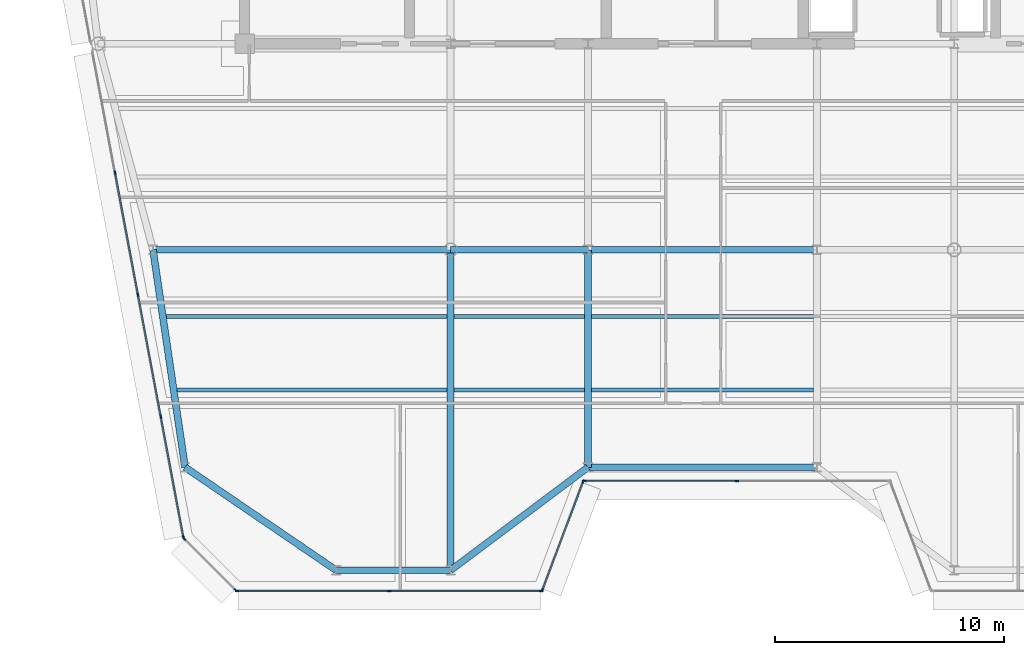
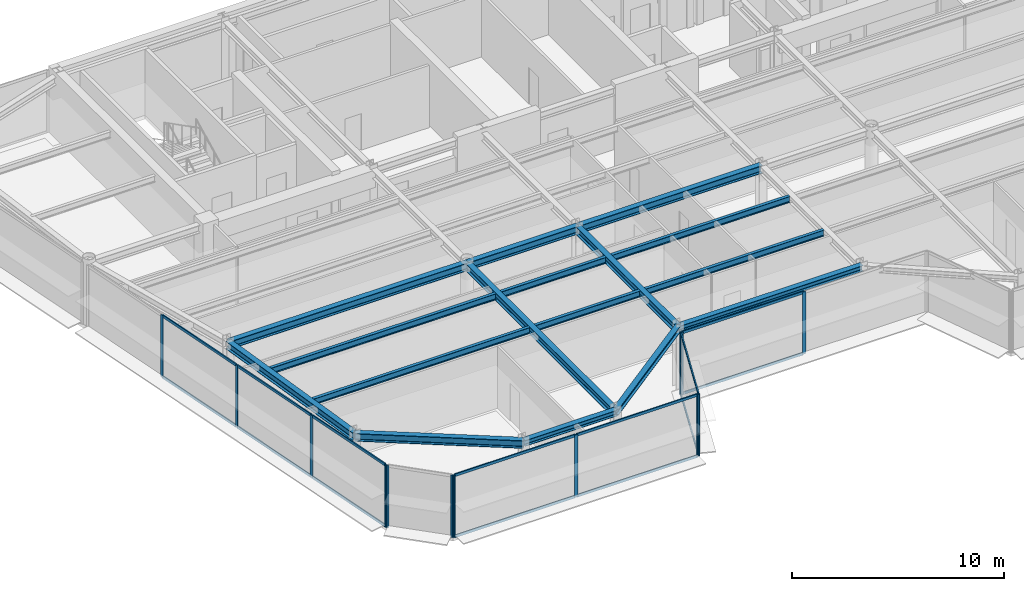
# One storey, part 3 of 20: 27 members, 16 beams, 5 elements without a shape of their own.
"""IFC4 building model written with IfcOpenShell, lengths in metres."""

import ifcopenshell
import ifcopenshell.guid

model = None  # the IFC model being written
_history = None  # IfcOwnerHistory: only IFC2X3 demands one
_inside = {}  # id of a spatial element -> (the spatial element, [elements in it])
_under = {}  # id of a project, library or spatial element -> (it, [spatial elements below it])
_declared = {}  # id of a project -> (the project, [libraries it declares])
_typed = {}  # id of a type object -> (the type object, [elements of that type])
_made_of = {}  # id of a material, layer set ... -> (it, [elements and type objects made of it])


def new_model(schema):
    """Start an empty IFC model of exactly this schema.

    Asked for "IFC4X3", IfcOpenShell would pick the latest addendum, in which some entities
    have other attributes; the version numbers below select the first issue.
    IFC2X3 requires an IfcOwnerHistory on every rooted entity: one is made here for all.
    """
    global model, _history
    if schema == "IFC4X3":
        model = ifcopenshell.file(schema_version=(4, 3, 0, 0))
    else:
        model = ifcopenshell.file(schema=schema)
    _inside.clear()
    _under.clear()
    _declared.clear()
    _typed.clear()
    _made_of.clear()
    _history = None
    if model.schema == "IFC2X3":
        org = make("IfcOrganization", Name="unknown")
        user = make(
            "IfcPersonAndOrganization",
            ThePerson=make("IfcPerson", FamilyName="unknown"),
            TheOrganization=org,
        )
        app = make(
            "IfcApplication",
            ApplicationDeveloper=org,
            Version="unknown",
            ApplicationFullName="unknown",
            ApplicationIdentifier="unknown",
        )
        _history = make(
            "IfcOwnerHistory",
            OwningUser=user,
            OwningApplication=app,
            ChangeAction="ADDED",
            CreationDate=0,
        )
    return model


def make(cls, **values):
    """One entity of the class cls with the attributes given. An attribute that is None is left unset."""
    return model.create_entity(
        cls, **{name: value for name, value in values.items() if value is not None}
    )


def rooted(cls, **values):
    """An entity with a GlobalId (a new one), such as an element, a storey or a relation."""
    return make(cls, GlobalId=ifcopenshell.guid.new(), OwnerHistory=_history, **values)


def si_unit(unit_type, name, prefix=None):
    """IfcSIUnit, for example si_unit("LENGTHUNIT", "METRE", prefix="MILLI")."""
    return make("IfcSIUnit", UnitType=unit_type, Prefix=prefix, Name=name)


def assignment(units):
    """IfcUnitAssignment: the units of a project."""
    return None if units is None else make("IfcUnitAssignment", Units=units)


def point(xyz):
    """IfcCartesianPoint."""
    return None if xyz is None else make("IfcCartesianPoint", Coordinates=xyz)


def direction(xyz):
    """IfcDirection."""
    return None if xyz is None else make("IfcDirection", DirectionRatios=xyz)


def frame(location, z_axis=None, x_axis=None):
    """IfcAxis2Placement3D, a coordinate frame: its origin and axes. An axis left out is left unset."""
    return make(
        "IfcAxis2Placement3D",
        Location=point(location),
        Axis=direction(z_axis),
        RefDirection=direction(x_axis),
    )


def frame_2d(location, x_axis=None):
    """IfcAxis2Placement2D, a coordinate frame in the plane: its origin and x axis."""
    return make(
        "IfcAxis2Placement2D", Location=point(location), RefDirection=direction(x_axis)
    )


def origin():
    """The frame at (0, 0, 0) with its axes left unset."""
    return frame((0.0, 0.0, 0.0))


def origin_2d():
    """The frame at (0, 0) in the plane with its x axis left unset."""
    return frame_2d((0.0, 0.0))


def place(relative_to, where):
    """IfcLocalPlacement: puts the frame where relative to a parent placement (None: the world)."""
    return make(
        "IfcLocalPlacement", PlacementRelTo=relative_to, RelativePlacement=where
    )


def context(
    kind, dimensions, precision=None, world=None, true_north=None, identifier=None
):
    """IfcGeometricRepresentationContext, for example the 3D "Model" context."""
    return make(
        "IfcGeometricRepresentationContext",
        ContextIdentifier=identifier,
        ContextType=kind,
        CoordinateSpaceDimension=dimensions,
        Precision=precision,
        WorldCoordinateSystem=world,
        TrueNorth=true_north,
    )


def subcontext(parent, identifier, kind, view, scale=None):
    """IfcGeometricRepresentationSubContext, for example "Body" below "Model"."""
    return make(
        "IfcGeometricRepresentationSubContext",
        ContextIdentifier=identifier,
        ContextType=kind,
        ParentContext=parent,
        TargetScale=scale,
        TargetView=view,
    )


def project(units=None, contexts=None):
    """IfcProject with its units and contexts."""
    return rooted(
        "IfcProject",
        Name="project",
        RepresentationContexts=contexts,
        UnitsInContext=assignment(units),
    )


def spatial(cls, under=None, at=None, **own):
    """A site, building, storey or space (cls), placed at a placement, below another one or the project."""
    s = rooted(cls, ObjectPlacement=at, **own)
    if under is not None:
        _under.setdefault(under.id(), (under, []))[1].append(s)
    return s


def profile(cls, at=None, kind="AREA", **sizes):
    """A parametric profile (cls). Its sizes go by their IFC names, for example OverallWidth=200.0."""
    return make(cls, ProfileType=kind, Position=at, **sizes)


def rectangle(**sizes):
    """IfcRectangleProfileDef."""
    return profile("IfcRectangleProfileDef", **sizes)


def i_section(**sizes):
    """IfcIShapeProfileDef."""
    return profile("IfcIShapeProfileDef", **sizes)


def extrude(swept, where, along, depth):
    """IfcExtrudedAreaSolid: the profile swept, set in the frame where, extruded along a direction by depth."""
    return make(
        "IfcExtrudedAreaSolid",
        SweptArea=swept,
        Position=where,
        ExtrudedDirection=direction(along),
        Depth=depth,
    )


def shape(context_of_items, identifier, shape_type, items):
    """IfcShapeRepresentation: the items that make up one representation, for example the "Body"."""
    return make(
        "IfcShapeRepresentation",
        ContextOfItems=context_of_items,
        RepresentationIdentifier=identifier,
        RepresentationType=shape_type,
        Items=items,
    )


def source(mapping_origin, context_of_items, identifier, shape_type, items):
    """IfcRepresentationMap: a shape defined once, which mapped items show again and again."""
    return make(
        "IfcRepresentationMap",
        MappingOrigin=mapping_origin,
        MappedRepresentation=shape(context_of_items, identifier, shape_type, items),
    )


def transform(
    local_origin,
    x_axis=None,
    y_axis=None,
    z_axis=None,
    scale=None,
    scale2=None,
    scale3=None,
    uniform=True,
):
    """IfcCartesianTransformationOperator3D, or its non-uniform kind. x_axis, y_axis, z_axis: its Axis1, 2, 3."""
    if uniform:
        return make(
            "IfcCartesianTransformationOperator3D",
            Axis1=direction(x_axis),
            Axis2=direction(y_axis),
            LocalOrigin=point(local_origin),
            Scale=scale,
            Axis3=direction(z_axis),
        )
    return make(
        "IfcCartesianTransformationOperator3DnonUniform",
        Axis1=direction(x_axis),
        Axis2=direction(y_axis),
        LocalOrigin=point(local_origin),
        Scale=scale,
        Axis3=direction(z_axis),
        Scale2=scale2,
        Scale3=scale3,
    )


def mapped(mapping_source, mapping_target):
    """IfcMappedItem: shows the shape of a source again, moved by a transform."""
    return make(
        "IfcMappedItem", MappingSource=mapping_source, MappingTarget=mapping_target
    )


def material(Name=None, Category=None):
    """IfcMaterial."""
    return make("IfcMaterial", Name=Name, Category=Category)


def layer(
    of_material, thickness, ventilated=None, Name=None, Category=None, Priority=None
):
    """IfcMaterialLayer: one layer of a wall or slab, of a material (None: an air gap)."""
    return make(
        "IfcMaterialLayer",
        Material=of_material,
        LayerThickness=thickness,
        IsVentilated=ventilated,
        Name=Name,
        Category=Category,
        Priority=Priority,
    )


def layer_set(layers, Name=None):
    """IfcMaterialLayerSet."""
    return make("IfcMaterialLayerSet", MaterialLayers=layers, LayerSetName=Name)


def material_profile(
    of_material, cross_section, Name=None, Category=None, Priority=None
):
    """IfcMaterialProfile: a cross section and its material."""
    return make(
        "IfcMaterialProfile",
        Name=Name,
        Material=of_material,
        Profile=cross_section,
        Priority=Priority,
        Category=Category,
    )


def profile_set(profiles, Name=None, composite=None):
    """IfcMaterialProfileSet."""
    return make(
        "IfcMaterialProfileSet",
        Name=Name,
        MaterialProfiles=profiles,
        CompositeProfile=composite,
    )


def made_of(thing, what):
    """Note that an element or type object is made of a material, layer set ...; save() writes the relation."""
    if what is not None:
        _made_of.setdefault(what.id(), (what, []))[1].append(thing)
    return thing


def type_object(cls, material=None, **own):
    """A type object (cls), such as IfcWallType, which elements share."""
    return made_of(rooted(cls, **own), material)


def element(
    cls,
    number,
    at=None,
    inside=None,
    cuts=None,
    type_object=None,
    material=None,
    context=None,
    identifier="Body",
    shape_type=None,
    held_by="IfcProductDefinitionShape",
    body=None,
    shapes=None,
    **own,
):
    """One element of the class cls, such as IfcWall. Its Tag is "e" and its number.

    at: its placement. inside: the storey or other place that contains it. cuts: it is an
    opening in that element (IfcRelVoidsElement). A single representation is given by context,
    identifier, shape_type and body (its items); several are given by shapes. held_by: the class
    of the entity that holds the representations. save() writes the other relations.
    """
    e = rooted(cls, Tag="e%d" % number, ObjectPlacement=at, **own)
    if body is not None:
        shapes = [shape(context, identifier, shape_type, body)]
    if shapes is not None:
        e.Representation = make(held_by, Representations=shapes)
    if inside is not None:
        _inside.setdefault(inside.id(), (inside, []))[1].append(e)
    if cuts is not None:
        rooted(
            "IfcRelVoidsElement", RelatingBuildingElement=cuts, RelatedOpeningElement=e
        )
    if type_object is not None:
        _typed.setdefault(type_object.id(), (type_object, []))[1].append(e)
    return made_of(e, material)


def aggregate(whole, parts):
    """IfcRelAggregates: a whole, such as a stair, and the parts it consists of."""
    return rooted("IfcRelAggregates", RelatingObject=whole, RelatedObjects=parts)


def save(model, path):
    """Write the relations noted so far, then the file.

    IfcRelAggregates (storeys below a building ...), IfcRelContainedInSpatialStructure (elements
    in a storey), IfcRelDefinesByType, IfcRelAssociatesMaterial and IfcRelDeclares: one each for
    every whole, place, type object, material and project.
    """
    for whole, parts in _under.values():
        aggregate(whole, parts)
    for where, things in _inside.values():
        rooted(
            "IfcRelContainedInSpatialStructure",
            RelatedElements=things,
            RelatingStructure=where,
        )
    for kind, things in _typed.values():
        rooted("IfcRelDefinesByType", RelatedObjects=things, RelatingType=kind)
    for what, things in _made_of.values():
        rooted("IfcRelAssociatesMaterial", RelatedObjects=things, RelatingMaterial=what)
    for by, libraries in _declared.values():
        rooted("IfcRelDeclares", RelatingContext=by, RelatedDefinitions=libraries)
    model.write(path)


model = new_model("IFC4")

# Units and contexts
model_context = context("Model", 3, precision=1e-05, world=origin(), true_north=direction((0.0, 1.0)))
body_context = subcontext(model_context, "Body", "Model", "MODEL_VIEW")
ifc_project = project(units=[si_unit("LENGTHUNIT", "METRE"), si_unit("AREAUNIT", "SQUARE_METRE"), si_unit("VOLUMEUNIT", "CUBIC_METRE"), si_unit("PLANEANGLEUNIT", "RADIAN"), si_unit("MASSUNIT", "GRAM", prefix="KILO")], contexts=[model_context])

# Site, building, storey
site_placement = place(None, origin())
site = spatial("IfcSite", under=ifc_project, at=site_placement, CompositionType="ELEMENT")
building_placement = place(site_placement, origin())
building = spatial("IfcBuilding", under=site, at=building_placement, Name="Vaeldorn Concourse Tower", CompositionType="ELEMENT")
storey_placement = place(building_placement, frame((0.0, 0.0, 291.60009765625)))
storey = spatial("IfcBuildingStorey", under=building, at=storey_placement, Name="L75", CompositionType="ELEMENT", Elevation=291.60009765625)

# Beams
ifc_material_1 = material(Name="Steel S355", Category="steel")
ifc_material_profile_1 = material_profile(ifc_material_1, i_section(OverallWidth=0.300048828125, OverallDepth=0.449951171875, WebThickness=0.013916015625, FlangeThickness=0.02587890625, FilletRadius=0.027099609375, at=origin_2d()), Name="HEB 450")
ifc_profile_set_1 = profile_set([ifc_material_profile_1], Name="Steel S355")
beam_type_1 = type_object("IfcBeamType", Name="BM-PG-HEB450", PredefinedType="BEAM", material=ifc_profile_set_1)
shared_shape_1 = source(origin(), body_context, "Body", "SweptSolid", [
    extrude(i_section(OverallWidth=0.300048828125, OverallDepth=0.449951171875, WebThickness=0.013916015625, FlangeThickness=0.02587890625, FilletRadius=0.027099609375, at=origin_2d()), origin(), (0.0, 0.0, 1.0), 6.0),
])
beam_1_placement = place(storey_placement, frame((23.0, 27.5, 3.35498046875), z_axis=(1.0, 0.0, 0.0), x_axis=(0.0, 1.0, 0.0)))
element("IfcBeam", 1, at=beam_1_placement, inside=storey, type_object=beam_type_1, Name="Beam BM-L75-C-TW1-C-TW2", PredefinedType="BEAM", context=body_context, shape_type="MappedRepresentation", body=[
    mapped(shared_shape_1, transform((0.0, 0.0, 0.0), scale=1.0)),
])
shared_shape_2 = source(origin(), body_context, "Body", "SweptSolid", [
    extrude(i_section(OverallWidth=0.300048828125, OverallDepth=0.449951171875, WebThickness=0.013916015625, FlangeThickness=0.02587890625, FilletRadius=0.027099609375, at=origin_2d()), origin(), (0.0, 0.0, 1.0), 10.0),
])
beam_2_placement = place(storey_placement, frame((29.0, 27.5, 3.35498046875), z_axis=(1.0, 0.0, 0.0), x_axis=(0.0, 1.0, 0.0)))
element("IfcBeam", 2, at=beam_2_placement, inside=storey, type_object=beam_type_1, Name="Beam BM-L75-C-TW2-C-TW3", PredefinedType="BEAM", context=body_context, shape_type="MappedRepresentation", body=[
    mapped(shared_shape_2, transform((0.0, 0.0, 0.0), scale=1.0)),
])
ifc_material_profile_2 = material_profile(ifc_material_1, i_section(OverallWidth=0.169921875, OverallDepth=0.360107421875, WebThickness=0.008056640625, FlangeThickness=0.0126953125, FilletRadius=0.01806640625, at=origin_2d()), Name="IPE 360")
ifc_profile_set_2 = profile_set([ifc_material_profile_2], Name="Steel S355")
beam_type_2 = type_object("IfcBeamType", Name="BM-JS-IPE360", PredefinedType="JOIST", material=ifc_profile_set_2)
shared_shape_3 = source(origin(), body_context, "Body", "SweptSolid", [
    extrude(i_section(OverallWidth=0.169921875, OverallDepth=0.360107421875, WebThickness=0.008056640625, FlangeThickness=0.0126953125, FilletRadius=0.01806640625, at=origin_2d()), origin(), (0.0, 0.0, 1.0), 5.7001953125),
])
for number, where, z_axis, x_axis, name in (
    (3, (23.14990234375, 21.3798828125, 3.39990234375), (1.0, 0.0, 0.0), (0.0, 1.0, 0.0), "Beam JS-L75-W2-213"),
    (4, (23.14990234375, 24.580078125, 3.39990234375), (1.0, 0.0, 0.0), (0.0, 1.0, 0.0), "Beam JS-L75-W2-245"),
):
    element("IfcBeam", number, at=place(storey_placement, frame(where, z_axis=z_axis, x_axis=x_axis)), inside=storey, type_object=beam_type_2, Name=name, PredefinedType="JOIST", context=body_context, shape_type="MappedRepresentation", body=[
        mapped(shared_shape_3, transform((0.0, 0.0, 0.0), scale=1.0)),
    ])
shared_shape_4 = source(origin(), body_context, "Body", "SweptSolid", [
    extrude(i_section(OverallWidth=0.169921875, OverallDepth=0.360107421875, WebThickness=0.008056640625, FlangeThickness=0.0126953125, FilletRadius=0.01806640625, at=origin_2d()), origin(), (0.0, 0.0, 1.0), 9.7001953125),
])
for number, where, z_axis, x_axis, name in (
    (5, (29.14990234375, 21.3798828125, 3.39990234375), (1.0, 0.0, 0.0), (0.0, 1.0, 0.0), "Beam JS-L75-C-213"),
    (6, (29.14990234375, 24.580078125, 3.39990234375), (1.0, 0.0, 0.0), (0.0, 1.0, 0.0), "Beam JS-L75-C-245"),
):
    element("IfcBeam", number, at=place(storey_placement, frame(where, z_axis=z_axis, x_axis=x_axis)), inside=storey, type_object=beam_type_2, Name=name, PredefinedType="JOIST", context=body_context, shape_type="MappedRepresentation", body=[
        mapped(shared_shape_4, transform((0.0, 0.0, 0.0), scale=1.0)),
    ])
ifc_material_profile_3 = material_profile(ifc_material_1, i_section(OverallWidth=0.300048828125, OverallDepth=0.340087890625, WebThickness=0.011962890625, FlangeThickness=0.021484375, FilletRadius=0.027099609375, at=origin_2d()), Name="HEB 340")
ifc_profile_set_3 = profile_set([ifc_material_profile_3], Name="Steel S355")
beam_type_3 = type_object("IfcBeamType", Name="BM-SP-HEB340", PredefinedType="SPANDREL", material=ifc_profile_set_3)
shared_shape_5 = source(origin(), body_context, "Body", "SweptSolid", [
    extrude(i_section(OverallWidth=0.300048828125, OverallDepth=0.340087890625, WebThickness=0.011962890625, FlangeThickness=0.021484375, FilletRadius=0.027099609375, at=origin_2d()), origin(), (0.0, 0.0, 1.0), 5.0),
])
beam_3_placement = place(storey_placement, frame((18.0, 13.5, 3.409912109375), z_axis=(1.0, 0.0, 0.0), x_axis=(0.0, 1.0, 0.0)))
element("IfcBeam", 7, at=beam_3_placement, inside=storey, type_object=beam_type_3, Name="Beam BM-L75-C-SF1-C-SF2", PredefinedType="SPANDREL", context=body_context, shape_type="MappedRepresentation", body=[
    mapped(shared_shape_5, transform((0.0, 0.0, 0.0), scale=1.0)),
])
shared_shape_6 = source(origin(), body_context, "Body", "SweptSolid", [
    extrude(i_section(OverallWidth=0.300048828125, OverallDepth=0.340087890625, WebThickness=0.011962890625, FlangeThickness=0.021484375, FilletRadius=0.027099609375, at=origin_2d()), origin(), (0.0, 0.0, 1.0), 7.5),
])
beam_4_placement = place(storey_placement, frame((23.0, 13.5, 3.409912109375), z_axis=(0.8, 0.6, 0.0), x_axis=(-0.6, 0.8, 0.0)))
element("IfcBeam", 8, at=beam_4_placement, inside=storey, type_object=beam_type_3, Name="Beam BM-L75-C-SF2-C-SF3", PredefinedType="SPANDREL", context=body_context, shape_type="MappedRepresentation", body=[
    mapped(shared_shape_6, transform((0.0, 0.0, 0.0), scale=1.0)),
])
shared_shape_7 = source(origin(), body_context, "Body", "SweptSolid", [
    extrude(i_section(OverallWidth=0.300048828125, OverallDepth=0.340087890625, WebThickness=0.011962890625, FlangeThickness=0.021484375, FilletRadius=0.027099609375, at=origin_2d()), origin(), (0.0, 0.0, 1.0), 10.0),
])
beam_5_placement = place(storey_placement, frame((29.0, 18.0, 3.409912109375), z_axis=(1.0, 0.0, 0.0), x_axis=(0.0, 1.0, 0.0)))
element("IfcBeam", 9, at=beam_5_placement, inside=storey, type_object=beam_type_3, Name="Beam BM-L75-C-SF3-C-SF4", PredefinedType="SPANDREL", context=body_context, shape_type="MappedRepresentation", body=[
    mapped(shared_shape_7, transform((0.0, 0.0, 0.0), scale=1.0)),
])
shared_shape_8 = source(origin(), body_context, "Body", "SweptSolid", [
    extrude(i_section(OverallWidth=0.169921875, OverallDepth=0.360107421875, WebThickness=0.008056640625, FlangeThickness=0.0126953125, FilletRadius=0.01806640625, at=origin_2d()), origin(), (0.0, 0.0, 1.0), 11.798095703125),
])
beam_6_placement = place(storey_placement, frame((11.052001953125, 21.3798828125, 3.39990234375), z_axis=(1.0, 0.0, 0.0), x_axis=(0.0, 1.0, 0.0)))
element("IfcBeam", 10, at=beam_6_placement, inside=storey, type_object=beam_type_2, Name="Beam JS-L75-W1-213", PredefinedType="JOIST", context=body_context, shape_type="MappedRepresentation", body=[
    mapped(shared_shape_8, transform((0.0, 0.0, 0.0), scale=1.0)),
])
shared_shape_9 = source(origin(), body_context, "Body", "SweptSolid", [
    extrude(i_section(OverallWidth=0.169921875, OverallDepth=0.360107421875, WebThickness=0.008056640625, FlangeThickness=0.0126953125, FilletRadius=0.01806640625, at=origin_2d()), origin(), (0.0, 0.0, 1.0), 12.269775390625),
])
beam_7_placement = place(storey_placement, frame((10.580322265625, 24.580078125, 3.39990234375), z_axis=(1.0, 0.0, 0.0), x_axis=(0.0, 1.0, 0.0)))
element("IfcBeam", 11, at=beam_7_placement, inside=storey, type_object=beam_type_2, Name="Beam JS-L75-W1-245", PredefinedType="JOIST", context=body_context, shape_type="MappedRepresentation", body=[
    mapped(shared_shape_9, transform((0.0, 0.0, 0.0), scale=1.0)),
])
shared_shape_10 = source(origin(), body_context, "Body", "SweptSolid", [
    extrude(i_section(OverallWidth=0.300048828125, OverallDepth=0.449951171875, WebThickness=0.013916015625, FlangeThickness=0.02587890625, FilletRadius=0.027099609375, at=origin_2d()), origin(), (0.0, 0.0, 1.0), 14.0),
])
beam_8_placement = place(storey_placement, frame((23.0, 13.5, 3.35498046875), z_axis=(0.0, 1.0, 0.0), x_axis=(-1.0, 0.0, 0.0)))
element("IfcBeam", 12, at=beam_8_placement, inside=storey, type_object=beam_type_1, Name="Beam BM-L75-C-SF2-C-TW1", PredefinedType="BEAM", context=body_context, shape_type="MappedRepresentation", body=[
    mapped(shared_shape_10, transform((0.0, 0.0, 0.0), scale=1.0)),
])
shared_shape_11 = source(origin(), body_context, "Body", "SweptSolid", [
    extrude(i_section(OverallWidth=0.300048828125, OverallDepth=0.449951171875, WebThickness=0.013916015625, FlangeThickness=0.02587890625, FilletRadius=0.027099609375, at=origin_2d()), origin(), (0.0, 0.0, 1.0), 13.0),
])
beam_9_placement = place(storey_placement, frame((10.0, 27.5, 3.35498046875), z_axis=(1.0, 0.0, 0.0), x_axis=(0.0, 1.0, 0.0)))
element("IfcBeam", 13, at=beam_9_placement, inside=storey, type_object=beam_type_1, Name="Beam BM-L75-C-FLW1-C-TW1", PredefinedType="BEAM", context=body_context, shape_type="MappedRepresentation", body=[
    mapped(shared_shape_11, transform((0.0, 0.0, 0.0), scale=1.0)),
])
shared_shape_12 = source(origin(), body_context, "Body", "SweptSolid", [
    extrude(i_section(OverallWidth=0.300048828125, OverallDepth=0.449951171875, WebThickness=0.013916015625, FlangeThickness=0.02587890625, FilletRadius=0.027099609375, at=origin_2d()), origin(), (0.0, 0.0, 1.0), 9.6025390625),
])
beam_10_placement = place(storey_placement, frame((10.0, 27.5, 3.35498046875), z_axis=(0.145783835977, -0.989316467652, 0.0), x_axis=(0.989316467652, 0.145783835977, 0.0)))
element("IfcBeam", 14, at=beam_10_placement, inside=storey, type_object=beam_type_1, Name="Beam BM-L75-C-FLW1-C-FLW2", PredefinedType="BEAM", context=body_context, shape_type="MappedRepresentation", body=[
    mapped(shared_shape_12, transform((0.0, 0.0, 0.0), scale=1.0)),
])
shared_shape_13 = source(origin(), body_context, "Body", "SweptSolid", [
    extrude(i_section(OverallWidth=0.300048828125, OverallDepth=0.449951171875, WebThickness=0.013916015625, FlangeThickness=0.02587890625, FilletRadius=0.027099609375, at=origin_2d()), origin(), (0.0, 0.0, 1.0), 7.98828125),
])
beam_11_placement = place(storey_placement, frame((18.0, 13.5, 3.35498046875), z_axis=(-0.826231222393, 0.56333113454, 0.0), x_axis=(-0.56333113454, -0.826231222393, 0.0)))
element("IfcBeam", 15, at=beam_11_placement, inside=storey, type_object=beam_type_1, Name="Beam BM-L75-C-SF1-C-FLW2", PredefinedType="BEAM", context=body_context, shape_type="MappedRepresentation", body=[
    mapped(shared_shape_13, transform((0.0, 0.0, 0.0), scale=1.0)),
])
shared_shape_14 = source(origin(), body_context, "Body", "SweptSolid", [
    extrude(i_section(OverallWidth=0.300048828125, OverallDepth=0.449951171875, WebThickness=0.013916015625, FlangeThickness=0.02587890625, FilletRadius=0.027099609375, at=origin_2d()), origin(), (0.0, 0.0, 1.0), 9.5),
])
beam_12_placement = place(storey_placement, frame((29.0, 18.0, 3.35498046875), z_axis=(0.0, 1.0, 0.0), x_axis=(-1.0, 0.0, 0.0)))
element("IfcBeam", 16, at=beam_12_placement, inside=storey, type_object=beam_type_1, Name="Beam BM-L75-C-SF3-C-TW2", PredefinedType="BEAM", context=body_context, shape_type="MappedRepresentation", body=[
    mapped(shared_shape_14, transform((0.0, 0.0, 0.0), scale=1.0)),
])

# Curtain wall, members
ifc_material_2 = material(Name="Anodised Bronze Aluminium", Category="aluminium")
ifc_layer = layer(ifc_material_2, 0.179931640625)
ifc_layer_set = layer_set([ifc_layer], Name="Anodised Bronze Aluminium")
curtain_wall_type = type_object("IfcCurtainWallType", Name="CW-SYS-05", PredefinedType="NOTDEFINED", material=ifc_layer_set)
curtain_wall_1_placement = place(storey_placement, origin())
curtain_wall_1 = element("IfcCurtainWall", 17, at=curtain_wall_1_placement, inside=storey, type_object=curtain_wall_type, Name="Unitised Curtain Wall CW-L75-E01-1", PredefinedType="NOTDEFINED")
ifc_material_profile_4 = material_profile(ifc_material_2, rectangle(XDim=0.06494140625, YDim=0.169921875, at=origin_2d()), Name="CWM 65x170")
ifc_profile_set_4 = profile_set([ifc_material_profile_4], Name="Anodised Bronze Aluminium")
member_type_1 = type_object("IfcMemberType", Name="CWM-BRONZE-170", PredefinedType="MULLION", material=ifc_profile_set_4)
shared_shape_15 = source(origin(), body_context, "Body", "SweptSolid", [
    extrude(rectangle(XDim=0.06494140625, YDim=0.169921875, at=origin_2d()), origin(), (0.0, 0.0, 1.0), 3.579833984375),
])
member_1_placement = place(storey_placement, frame((13.66845703125, 12.60009765625, 0.0), z_axis=(0.0, 0.0, 1.0), x_axis=(0.0, 1.0, 0.0)))
member_1 = element("IfcMember", 18, at=member_1_placement, type_object=member_type_1, Name="CW-05 mullion 1", PredefinedType="MULLION", context=body_context, shape_type="MappedRepresentation", body=[
    mapped(shared_shape_15, transform((0.0, 0.0, 0.0), scale=1.0)),
])
member_2_placement = place(storey_placement, frame((20.318115234375, 12.60009765625, 0.0), z_axis=(0.0, 0.0, 1.0), x_axis=(0.0, 1.0, 0.0)))
member_2 = element("IfcMember", 19, at=member_2_placement, type_object=member_type_1, Name="CW-05 mullion 2", PredefinedType="MULLION", context=body_context, shape_type="MappedRepresentation", body=[
    mapped(shared_shape_15, transform((0.0, 0.0, 0.0), scale=1.0)),
])
member_3_placement = place(storey_placement, frame((26.967529296875, 12.60009765625, 0.0), z_axis=(0.0, 0.0, 1.0), x_axis=(0.0, 1.0, 0.0)))
member_3 = element("IfcMember", 20, at=member_3_placement, type_object=member_type_1, Name="CW-05 mullion 3", PredefinedType="MULLION", context=body_context, shape_type="MappedRepresentation", body=[
    mapped(shared_shape_15, transform((0.0, 0.0, 0.0), scale=1.0)),
])

curtain_wall_2_placement = place(storey_placement, origin())
curtain_wall_2 = element("IfcCurtainWall", 21, at=curtain_wall_2_placement, inside=storey, type_object=curtain_wall_type, Name="Unitised Curtain Wall CW-L75-E02-1", PredefinedType="NOTDEFINED")
member_4_placement = place(storey_placement, frame((27.011474609375, 12.63037109375, 0.0), z_axis=(0.0, 0.0, 1.0), x_axis=(-0.936329177566, 0.351123441595, 0.0)))
member_4 = element("IfcMember", 22, at=member_4_placement, type_object=member_type_1, Name="CW-05 mullion 1", PredefinedType="MULLION", context=body_context, shape_type="MappedRepresentation", body=[
    mapped(shared_shape_15, transform((0.0, 0.0, 0.0), scale=1.0)),
])
member_5_placement = place(storey_placement, frame((28.78857421875, 17.36962890625, 0.0), z_axis=(0.0, 0.0, 1.0), x_axis=(-0.936329177566, 0.351123441595, 0.0)))
member_5 = element("IfcMember", 23, at=member_5_placement, type_object=member_type_1, Name="CW-05 mullion 2", PredefinedType="MULLION", context=body_context, shape_type="MappedRepresentation", body=[
    mapped(shared_shape_15, transform((0.0, 0.0, 0.0), scale=1.0)),
])

curtain_wall_3_placement = place(storey_placement, origin())
curtain_wall_3 = element("IfcCurtainWall", 24, at=curtain_wall_3_placement, inside=storey, type_object=curtain_wall_type, Name="Unitised Curtain Wall CW-L75-E03-1", PredefinedType="NOTDEFINED")
member_6_placement = place(storey_placement, frame((28.83251953125, 17.39990234375, 0.0), z_axis=(0.0, 0.0, 1.0), x_axis=(0.0, 1.0, 0.0)))
member_6 = element("IfcMember", 25, at=member_6_placement, type_object=member_type_1, Name="CW-05 mullion 1", PredefinedType="MULLION", context=body_context, shape_type="MappedRepresentation", body=[
    mapped(shared_shape_15, transform((0.0, 0.0, 0.0), scale=1.0)),
])
member_7_placement = place(storey_placement, frame((35.5, 17.39990234375, 0.0), z_axis=(0.0, 0.0, 1.0), x_axis=(0.0, 1.0, 0.0)))
member_7 = element("IfcMember", 26, at=member_7_placement, type_object=member_type_1, Name="CW-05 mullion 2", PredefinedType="MULLION", context=body_context, shape_type="MappedRepresentation", body=[
    mapped(shared_shape_15, transform((0.0, 0.0, 0.0), scale=1.0)),
])

curtain_wall_4_placement = place(storey_placement, origin())
curtain_wall_4 = element("IfcCurtainWall", 27, at=curtain_wall_4_placement, inside=storey, type_object=curtain_wall_type, Name="Unitised Curtain Wall CW-L75-E11-2", PredefinedType="NOTDEFINED")
member_8_placement = place(storey_placement, frame((8.343505859375, 30.86376953125, 0.0), z_axis=(0.0, 0.0, 1.0), x_axis=(0.982880027444, 0.184246714088, 0.0)))
member_8 = element("IfcMember", 28, at=member_8_placement, type_object=member_type_1, Name="CW-05 mullion 2", PredefinedType="MULLION", context=body_context, shape_type="MappedRepresentation", body=[
    mapped(shared_shape_15, transform((0.0, 0.0, 0.0), scale=1.0)),
])
member_9_placement = place(storey_placement, frame((9.341064453125, 25.54248046875, 0.0), z_axis=(0.0, 0.0, 1.0), x_axis=(0.982880027444, 0.184246714088, 0.0)))
member_9 = element("IfcMember", 29, at=member_9_placement, type_object=member_type_1, Name="CW-05 mullion 3", PredefinedType="MULLION", context=body_context, shape_type="MappedRepresentation", body=[
    mapped(shared_shape_15, transform((0.0, 0.0, 0.0), scale=1.0)),
])
member_10_placement = place(storey_placement, frame((10.33837890625, 20.22119140625, 0.0), z_axis=(0.0, 0.0, 1.0), x_axis=(0.982880027444, 0.184246714088, 0.0)))
member_10 = element("IfcMember", 30, at=member_10_placement, type_object=member_type_1, Name="CW-05 mullion 4", PredefinedType="MULLION", context=body_context, shape_type="MappedRepresentation", body=[
    mapped(shared_shape_15, transform((0.0, 0.0, 0.0), scale=1.0)),
])
member_11_placement = place(storey_placement, frame((11.330078125, 14.931884765625, 0.0), z_axis=(0.0, 0.0, 1.0), x_axis=(0.982880027444, 0.184246714088, 0.0)))
member_11 = element("IfcMember", 31, at=member_11_placement, type_object=member_type_1, Name="CW-05 mullion 5", PredefinedType="MULLION", context=body_context, shape_type="MappedRepresentation", body=[
    mapped(shared_shape_15, transform((0.0, 0.0, 0.0), scale=1.0)),
])

curtain_wall_5_placement = place(storey_placement, origin())
curtain_wall_5 = element("IfcCurtainWall", 32, at=curtain_wall_5_placement, inside=storey, type_object=curtain_wall_type, Name="Unitised Curtain Wall CW-L75-E12-1", PredefinedType="NOTDEFINED")
member_12_placement = place(storey_placement, frame((11.35888671875, 14.876953125, 0.0), z_axis=(0.0, 0.0, 1.0), x_axis=(0.707106781187, 0.707106781187, 0.0)))
member_12 = element("IfcMember", 33, at=member_12_placement, type_object=member_type_1, Name="CW-05 mullion 1", PredefinedType="MULLION", context=body_context, shape_type="MappedRepresentation", body=[
    mapped(shared_shape_15, transform((0.0, 0.0, 0.0), scale=1.0)),
])
member_13_placement = place(storey_placement, frame((13.613037109375, 12.623046875, 0.0), z_axis=(0.0, 0.0, 1.0), x_axis=(0.707106781187, 0.707106781187, 0.0)))
member_13 = element("IfcMember", 34, at=member_13_placement, type_object=member_type_1, Name="CW-05 mullion 2", PredefinedType="MULLION", context=body_context, shape_type="MappedRepresentation", body=[
    mapped(shared_shape_15, transform((0.0, 0.0, 0.0), scale=1.0)),
])
aggregate(curtain_wall_5, [member_12, member_13])

# Member
ifc_material_profile_5 = material_profile(ifc_material_2, rectangle(XDim=0.06494140625, YDim=0.14990234375, at=origin_2d()), Name="CWT 65x150")
ifc_profile_set_5 = profile_set([ifc_material_profile_5], Name="Anodised Bronze Aluminium")
member_type_2 = type_object("IfcMemberType", Name="CWT-BRONZE-150", PredefinedType="USERDEFINED", material=ifc_profile_set_5)
shared_shape_16 = source(origin(), body_context, "Body", "SweptSolid", [
    extrude(rectangle(XDim=0.06494140625, YDim=0.14990234375, at=origin_2d()), origin(), (0.0, 0.0, 1.0), 4.996337890625),
])
member_14_placement = place(storey_placement, frame((27.022705078125, 12.660888671875, 0.032470703125), z_axis=(0.351134151405, 0.936325161318, 0.0), x_axis=(-0.936325161318, 0.351134151405, 0.0)))
member_14 = element("IfcMember", 35, at=member_14_placement, type_object=member_type_2, Name="CW-05 transom 1.1", ObjectType="TRANSOM", PredefinedType="USERDEFINED", context=body_context, shape_type="MappedRepresentation", body=[
    mapped(shared_shape_16, transform((0.0, 0.0, 0.0), scale=1.0)),
])

member_15_placement = place(storey_placement, frame((27.022705078125, 12.660888671875, 3.54736328125), z_axis=(0.351134151405, 0.936325161318, 0.0), x_axis=(-0.936325161318, 0.351134151405, 0.0)))
member_15 = element("IfcMember", 36, at=member_15_placement, type_object=member_type_2, Name="CW-05 transom 1.2", ObjectType="TRANSOM", PredefinedType="USERDEFINED", context=body_context, shape_type="MappedRepresentation", body=[
    mapped(shared_shape_16, transform((0.0, 0.0, 0.0), scale=1.0)),
])

aggregate(curtain_wall_2, [member_4, member_5, member_14, member_15])

shared_shape_17 = source(origin(), body_context, "Body", "SweptSolid", [
    extrude(rectangle(XDim=0.06494140625, YDim=0.14990234375, at=origin_2d()), origin(), (0.0, 0.0, 1.0), 6.6025390625),
])
member_16_placement = place(storey_placement, frame((28.864990234375, 17.39990234375, 0.032470703125), z_axis=(1.0, 0.0, 0.0), x_axis=(0.0, 1.0, 0.0)))
member_16 = element("IfcMember", 37, at=member_16_placement, type_object=member_type_2, Name="CW-05 transom 1.1", ObjectType="TRANSOM", PredefinedType="USERDEFINED", context=body_context, shape_type="MappedRepresentation", body=[
    mapped(shared_shape_17, transform((0.0, 0.0, 0.0), scale=1.0)),
])

member_17_placement = place(storey_placement, frame((28.864990234375, 17.39990234375, 3.54736328125), z_axis=(1.0, 0.0, 0.0), x_axis=(0.0, 1.0, 0.0)))
member_17 = element("IfcMember", 38, at=member_17_placement, type_object=member_type_2, Name="CW-05 transom 1.2", ObjectType="TRANSOM", PredefinedType="USERDEFINED", context=body_context, shape_type="MappedRepresentation", body=[
    mapped(shared_shape_17, transform((0.0, 0.0, 0.0), scale=1.0)),
])

aggregate(curtain_wall_3, [member_6, member_7, member_16, member_17])

shared_shape_18 = source(origin(), body_context, "Body", "SweptSolid", [
    extrude(rectangle(XDim=0.06494140625, YDim=0.14990234375, at=origin_2d()), origin(), (0.0, 0.0, 1.0), 5.31640625),
])
member_18_placement = place(storey_placement, frame((10.344482421875, 20.189208984375, 0.032470703125), z_axis=(0.184241399207, -0.982881023735, 0.0), x_axis=(0.982881023735, 0.184241399207, 0.0)))
member_18 = element("IfcMember", 39, at=member_18_placement, type_object=member_type_2, Name="CW-05 transom 4.1", ObjectType="TRANSOM", PredefinedType="USERDEFINED", context=body_context, shape_type="MappedRepresentation", body=[
    mapped(shared_shape_18, transform((0.0, 0.0, 0.0), scale=1.0)),
])

member_19_placement = place(storey_placement, frame((10.344482421875, 20.189208984375, 3.54736328125), z_axis=(0.184241399207, -0.982881023735, 0.0), x_axis=(0.982881023735, 0.184241399207, 0.0)))
member_19 = element("IfcMember", 40, at=member_19_placement, type_object=member_type_2, Name="CW-05 transom 4.2", ObjectType="TRANSOM", PredefinedType="USERDEFINED", context=body_context, shape_type="MappedRepresentation", body=[
    mapped(shared_shape_18, transform((0.0, 0.0, 0.0), scale=1.0)),
])

shared_shape_19 = source(origin(), body_context, "Body", "SweptSolid", [
    extrude(rectangle(XDim=0.06494140625, YDim=0.14990234375, at=origin_2d()), origin(), (0.0, 0.0, 1.0), 5.348876953125),
])
member_20_placement = place(storey_placement, frame((8.349609375, 30.831787109375, 0.032470703125), z_axis=(0.184216882988, -0.982885618993, 0.0), x_axis=(0.982885618993, 0.184216882988, 0.0)))
member_20 = element("IfcMember", 41, at=member_20_placement, type_object=member_type_2, Name="CW-05 transom 2.1", ObjectType="TRANSOM", PredefinedType="USERDEFINED", context=body_context, shape_type="MappedRepresentation", body=[
    mapped(shared_shape_19, transform((0.0, 0.0, 0.0), scale=1.0)),
])

member_21_placement = place(storey_placement, frame((8.349609375, 30.831787109375, 3.54736328125), z_axis=(0.184216882988, -0.982885618993, 0.0), x_axis=(0.982885618993, 0.184216882988, 0.0)))
member_21 = element("IfcMember", 42, at=member_21_placement, type_object=member_type_2, Name="CW-05 transom 2.2", ObjectType="TRANSOM", PredefinedType="USERDEFINED", context=body_context, shape_type="MappedRepresentation", body=[
    mapped(shared_shape_19, transform((0.0, 0.0, 0.0), scale=1.0)),
])

member_22_placement = place(storey_placement, frame((9.346923828125, 25.510498046875, 0.032470703125), z_axis=(0.184260976912, -0.982877353685, 0.0), x_axis=(0.982877353685, 0.184260976912, 0.0)))
member_22 = element("IfcMember", 43, at=member_22_placement, type_object=member_type_2, Name="CW-05 transom 3.1", ObjectType="TRANSOM", PredefinedType="USERDEFINED", context=body_context, shape_type="MappedRepresentation", body=[
    mapped(shared_shape_19, transform((0.0, 0.0, 0.0), scale=1.0)),
])

member_23_placement = place(storey_placement, frame((9.346923828125, 25.510498046875, 3.54736328125), z_axis=(0.184260976912, -0.982877353685, 0.0), x_axis=(0.982877353685, 0.184260976912, 0.0)))
member_23 = element("IfcMember", 44, at=member_23_placement, type_object=member_type_2, Name="CW-05 transom 3.2", ObjectType="TRANSOM", PredefinedType="USERDEFINED", context=body_context, shape_type="MappedRepresentation", body=[
    mapped(shared_shape_19, transform((0.0, 0.0, 0.0), scale=1.0)),
])

aggregate(curtain_wall_4, [member_8, member_9, member_10, member_11, member_20, member_21, member_22, member_23, member_18, member_19])

shared_shape_20 = source(origin(), body_context, "Body", "SweptSolid", [
    extrude(rectangle(XDim=0.06494140625, YDim=0.14990234375, at=origin_2d()), origin(), (0.0, 0.0, 1.0), 6.58447265625),
])
member_24_placement = place(storey_placement, frame((13.700927734375, 12.60009765625, 0.032470703125), z_axis=(1.0, 0.0, 0.0), x_axis=(0.0, 1.0, 0.0)))
member_24 = element("IfcMember", 45, at=member_24_placement, type_object=member_type_2, Name="CW-05 transom 1.1", ObjectType="TRANSOM", PredefinedType="USERDEFINED", context=body_context, shape_type="MappedRepresentation", body=[
    mapped(shared_shape_20, transform((0.0, 0.0, 0.0), scale=1.0)),
])

member_25_placement = place(storey_placement, frame((13.700927734375, 12.60009765625, 3.54736328125), z_axis=(1.0, 0.0, 0.0), x_axis=(0.0, 1.0, 0.0)))
member_25 = element("IfcMember", 46, at=member_25_placement, type_object=member_type_2, Name="CW-05 transom 1.2", ObjectType="TRANSOM", PredefinedType="USERDEFINED", context=body_context, shape_type="MappedRepresentation", body=[
    mapped(shared_shape_20, transform((0.0, 0.0, 0.0), scale=1.0)),
])

member_26_placement = place(storey_placement, frame((20.3505859375, 12.60009765625, 0.032470703125), z_axis=(1.0, 0.0, 0.0), x_axis=(0.0, 1.0, 0.0)))
member_26 = element("IfcMember", 47, at=member_26_placement, type_object=member_type_2, Name="CW-05 transom 2.1", ObjectType="TRANSOM", PredefinedType="USERDEFINED", context=body_context, shape_type="MappedRepresentation", body=[
    mapped(shared_shape_20, transform((0.0, 0.0, 0.0), scale=1.0)),
])

member_27_placement = place(storey_placement, frame((20.3505859375, 12.60009765625, 3.54736328125), z_axis=(1.0, 0.0, 0.0), x_axis=(0.0, 1.0, 0.0)))
member_27 = element("IfcMember", 48, at=member_27_placement, type_object=member_type_2, Name="CW-05 transom 2.2", ObjectType="TRANSOM", PredefinedType="USERDEFINED", context=body_context, shape_type="MappedRepresentation", body=[
    mapped(shared_shape_20, transform((0.0, 0.0, 0.0), scale=1.0)),
])

aggregate(curtain_wall_1, [member_1, member_2, member_3, member_24, member_25, member_26, member_27])

save(model, "model.ifc")
